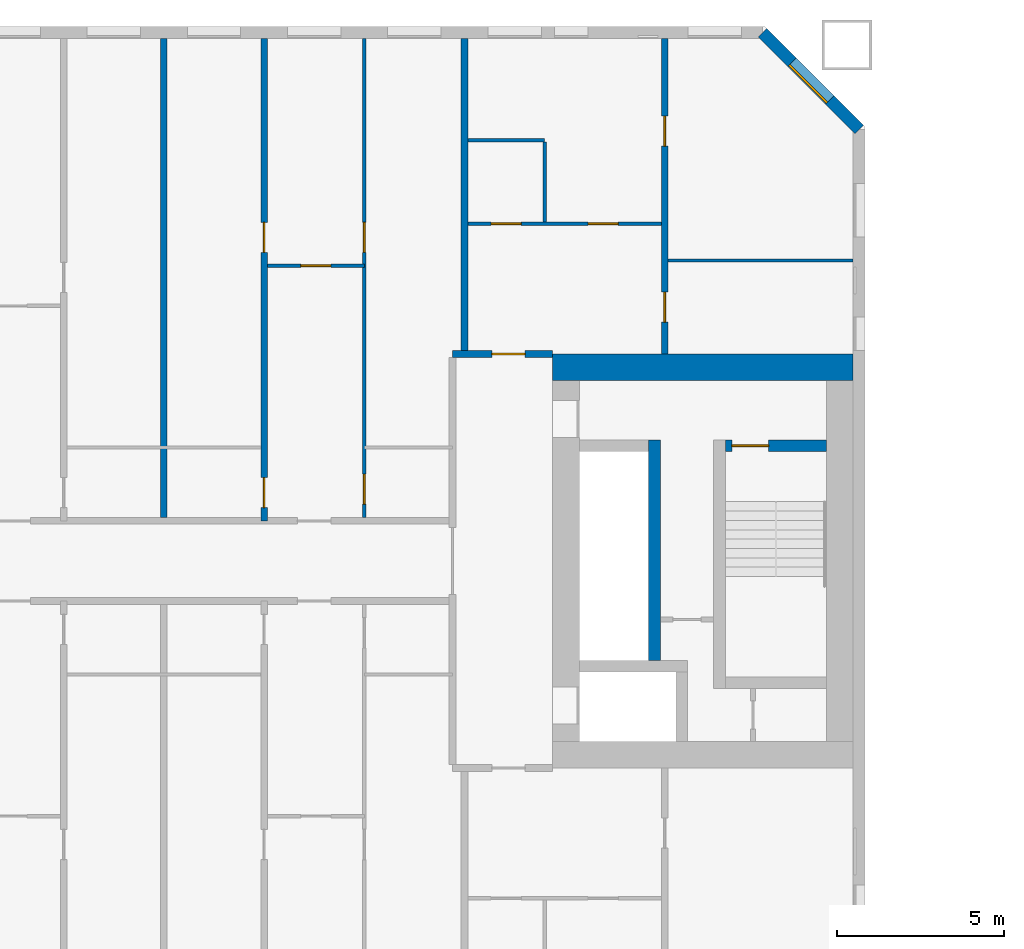
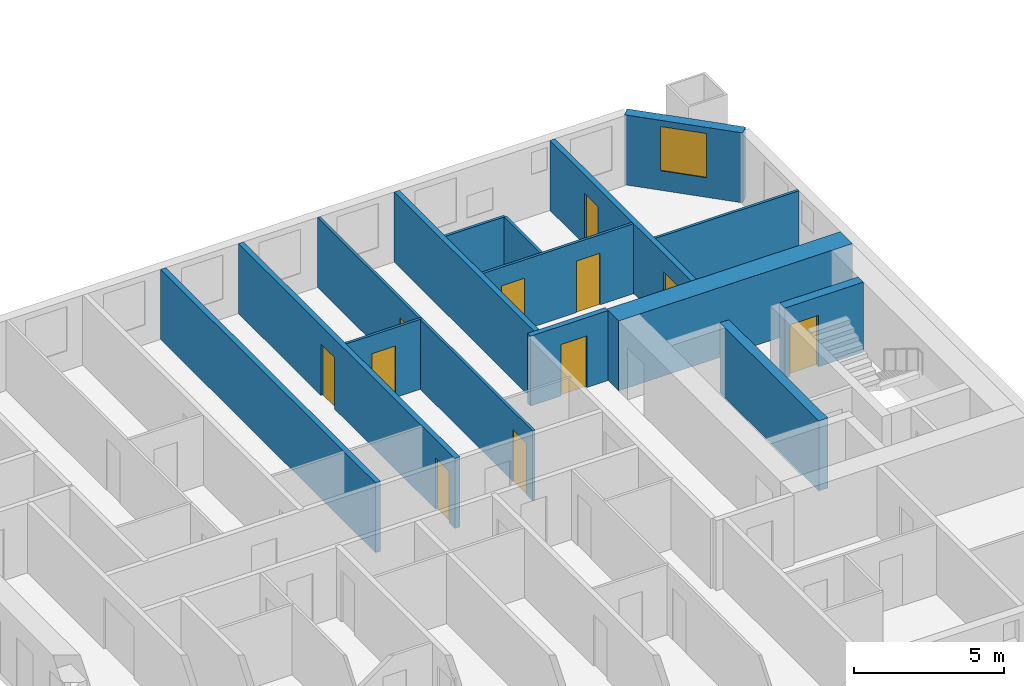
# One storey, part 8 of 17: 15 walls, 11 doors, 1 window, 12 openings.
"""IFC4 building model written with IfcOpenShell, lengths in metres."""

import ifcopenshell
import ifcopenshell.guid

model = None  # the IFC model being written
_history = None  # IfcOwnerHistory: only IFC2X3 demands one
_inside = {}  # id of a spatial element -> (the spatial element, [elements in it])
_under = {}  # id of a project, library or spatial element -> (it, [spatial elements below it])
_declared = {}  # id of a project -> (the project, [libraries it declares])
_typed = {}  # id of a type object -> (the type object, [elements of that type])
_made_of = {}  # id of a material, layer set ... -> (it, [elements and type objects made of it])


def new_model(schema):
    """Start an empty IFC model of exactly this schema.

    Asked for "IFC4X3", IfcOpenShell would pick the latest addendum, in which some entities
    have other attributes; the version numbers below select the first issue.
    IFC2X3 requires an IfcOwnerHistory on every rooted entity: one is made here for all.
    """
    global model, _history
    if schema == "IFC4X3":
        model = ifcopenshell.file(schema_version=(4, 3, 0, 0))
    else:
        model = ifcopenshell.file(schema=schema)
    _inside.clear()
    _under.clear()
    _declared.clear()
    _typed.clear()
    _made_of.clear()
    _history = None
    if model.schema == "IFC2X3":
        org = make("IfcOrganization", Name="unknown")
        user = make(
            "IfcPersonAndOrganization",
            ThePerson=make("IfcPerson", FamilyName="unknown"),
            TheOrganization=org,
        )
        app = make(
            "IfcApplication",
            ApplicationDeveloper=org,
            Version="unknown",
            ApplicationFullName="unknown",
            ApplicationIdentifier="unknown",
        )
        _history = make(
            "IfcOwnerHistory",
            OwningUser=user,
            OwningApplication=app,
            ChangeAction="ADDED",
            CreationDate=0,
        )
    return model


def make(cls, **values):
    """One entity of the class cls with the attributes given. An attribute that is None is left unset."""
    return model.create_entity(
        cls, **{name: value for name, value in values.items() if value is not None}
    )


def rooted(cls, **values):
    """An entity with a GlobalId (a new one), such as an element, a storey or a relation."""
    return make(cls, GlobalId=ifcopenshell.guid.new(), OwnerHistory=_history, **values)


def si_unit(unit_type, name, prefix=None):
    """IfcSIUnit, for example si_unit("LENGTHUNIT", "METRE", prefix="MILLI")."""
    return make("IfcSIUnit", UnitType=unit_type, Prefix=prefix, Name=name)


def assignment(units):
    """IfcUnitAssignment: the units of a project."""
    return None if units is None else make("IfcUnitAssignment", Units=units)


def point(xyz):
    """IfcCartesianPoint."""
    return None if xyz is None else make("IfcCartesianPoint", Coordinates=xyz)


def direction(xyz):
    """IfcDirection."""
    return None if xyz is None else make("IfcDirection", DirectionRatios=xyz)


def frame(location, z_axis=None, x_axis=None):
    """IfcAxis2Placement3D, a coordinate frame: its origin and axes. An axis left out is left unset."""
    return make(
        "IfcAxis2Placement3D",
        Location=point(location),
        Axis=direction(z_axis),
        RefDirection=direction(x_axis),
    )


def frame_2d(location, x_axis=None):
    """IfcAxis2Placement2D, a coordinate frame in the plane: its origin and x axis."""
    return make(
        "IfcAxis2Placement2D", Location=point(location), RefDirection=direction(x_axis)
    )


def origin():
    """The frame at (0, 0, 0) with its axes left unset."""
    return frame((0.0, 0.0, 0.0))


def place(relative_to, where):
    """IfcLocalPlacement: puts the frame where relative to a parent placement (None: the world)."""
    return make(
        "IfcLocalPlacement", PlacementRelTo=relative_to, RelativePlacement=where
    )


def context(
    kind, dimensions, precision=None, world=None, true_north=None, identifier=None
):
    """IfcGeometricRepresentationContext, for example the 3D "Model" context."""
    return make(
        "IfcGeometricRepresentationContext",
        ContextIdentifier=identifier,
        ContextType=kind,
        CoordinateSpaceDimension=dimensions,
        Precision=precision,
        WorldCoordinateSystem=world,
        TrueNorth=true_north,
    )


def subcontext(parent, identifier, kind, view, scale=None):
    """IfcGeometricRepresentationSubContext, for example "Body" below "Model"."""
    return make(
        "IfcGeometricRepresentationSubContext",
        ContextIdentifier=identifier,
        ContextType=kind,
        ParentContext=parent,
        TargetScale=scale,
        TargetView=view,
    )


def project(units=None, contexts=None):
    """IfcProject with its units and contexts."""
    return rooted(
        "IfcProject",
        Name="project",
        RepresentationContexts=contexts,
        UnitsInContext=assignment(units),
    )


def spatial(cls, under=None, at=None, **own):
    """A site, building, storey or space (cls), placed at a placement, below another one or the project."""
    s = rooted(cls, ObjectPlacement=at, **own)
    if under is not None:
        _under.setdefault(under.id(), (under, []))[1].append(s)
    return s


def profile(cls, at=None, kind="AREA", **sizes):
    """A parametric profile (cls). Its sizes go by their IFC names, for example OverallWidth=200.0."""
    return make(cls, ProfileType=kind, Position=at, **sizes)


def rectangle(**sizes):
    """IfcRectangleProfileDef."""
    return profile("IfcRectangleProfileDef", **sizes)


def extrude(swept, where, along, depth):
    """IfcExtrudedAreaSolid: the profile swept, set in the frame where, extruded along a direction by depth."""
    return make(
        "IfcExtrudedAreaSolid",
        SweptArea=swept,
        Position=where,
        ExtrudedDirection=direction(along),
        Depth=depth,
    )


def shape(context_of_items, identifier, shape_type, items):
    """IfcShapeRepresentation: the items that make up one representation, for example the "Body"."""
    return make(
        "IfcShapeRepresentation",
        ContextOfItems=context_of_items,
        RepresentationIdentifier=identifier,
        RepresentationType=shape_type,
        Items=items,
    )


def material(Name=None, Category=None):
    """IfcMaterial."""
    return make("IfcMaterial", Name=Name, Category=Category)


def layer(
    of_material, thickness, ventilated=None, Name=None, Category=None, Priority=None
):
    """IfcMaterialLayer: one layer of a wall or slab, of a material (None: an air gap)."""
    return make(
        "IfcMaterialLayer",
        Material=of_material,
        LayerThickness=thickness,
        IsVentilated=ventilated,
        Name=Name,
        Category=Category,
        Priority=Priority,
    )


def layer_set(layers, Name=None):
    """IfcMaterialLayerSet."""
    return make("IfcMaterialLayerSet", MaterialLayers=layers, LayerSetName=Name)


def made_of(thing, what):
    """Note that an element or type object is made of a material, layer set ...; save() writes the relation."""
    if what is not None:
        _made_of.setdefault(what.id(), (what, []))[1].append(thing)
    return thing


def type_object(cls, material=None, **own):
    """A type object (cls), such as IfcWallType, which elements share."""
    return made_of(rooted(cls, **own), material)


def element(
    cls,
    number,
    at=None,
    inside=None,
    cuts=None,
    type_object=None,
    material=None,
    context=None,
    identifier="Body",
    shape_type=None,
    held_by="IfcProductDefinitionShape",
    body=None,
    shapes=None,
    **own,
):
    """One element of the class cls, such as IfcWall. Its Tag is "e" and its number.

    at: its placement. inside: the storey or other place that contains it. cuts: it is an
    opening in that element (IfcRelVoidsElement). A single representation is given by context,
    identifier, shape_type and body (its items); several are given by shapes. held_by: the class
    of the entity that holds the representations. save() writes the other relations.
    """
    e = rooted(cls, Tag="e%d" % number, ObjectPlacement=at, **own)
    if body is not None:
        shapes = [shape(context, identifier, shape_type, body)]
    if shapes is not None:
        e.Representation = make(held_by, Representations=shapes)
    if inside is not None:
        _inside.setdefault(inside.id(), (inside, []))[1].append(e)
    if cuts is not None:
        rooted(
            "IfcRelVoidsElement", RelatingBuildingElement=cuts, RelatedOpeningElement=e
        )
    if type_object is not None:
        _typed.setdefault(type_object.id(), (type_object, []))[1].append(e)
    return made_of(e, material)


def fill(opening, filler):
    """IfcRelFillsElement: the door or window that sits in an opening."""
    return rooted(
        "IfcRelFillsElement",
        RelatingOpeningElement=opening,
        RelatedBuildingElement=filler,
    )


def aggregate(whole, parts):
    """IfcRelAggregates: a whole, such as a stair, and the parts it consists of."""
    return rooted("IfcRelAggregates", RelatingObject=whole, RelatedObjects=parts)


def save(model, path):
    """Write the relations noted so far, then the file.

    IfcRelAggregates (storeys below a building ...), IfcRelContainedInSpatialStructure (elements
    in a storey), IfcRelDefinesByType, IfcRelAssociatesMaterial and IfcRelDeclares: one each for
    every whole, place, type object, material and project.
    """
    for whole, parts in _under.values():
        aggregate(whole, parts)
    for where, things in _inside.values():
        rooted(
            "IfcRelContainedInSpatialStructure",
            RelatedElements=things,
            RelatingStructure=where,
        )
    for kind, things in _typed.values():
        rooted("IfcRelDefinesByType", RelatedObjects=things, RelatingType=kind)
    for what, things in _made_of.values():
        rooted("IfcRelAssociatesMaterial", RelatedObjects=things, RelatingMaterial=what)
    for by, libraries in _declared.values():
        rooted("IfcRelDeclares", RelatingContext=by, RelatedDefinitions=libraries)
    model.write(path)


model = new_model("IFC4")

# Units and contexts
model_context = context("Model", 3, precision=1e-05, world=origin(), true_north=direction((0.0, 1.0)))
body_context = subcontext(model_context, "Body", "Model", "MODEL_VIEW")
ifc_project = project(units=[si_unit("LENGTHUNIT", "METRE"), si_unit("AREAUNIT", "SQUARE_METRE"), si_unit("VOLUMEUNIT", "CUBIC_METRE"), si_unit("PLANEANGLEUNIT", "RADIAN"), si_unit("MASSUNIT", "GRAM", prefix="KILO")], contexts=[model_context])

# Site, building, storey
site_placement = place(None, origin())
site = spatial("IfcSite", under=ifc_project, at=site_placement, CompositionType="ELEMENT")
building_placement = place(site_placement, origin())
building = spatial("IfcBuilding", under=site, at=building_placement, Name="Tuart Gate Housing", CompositionType="ELEMENT")
storey_placement = place(building_placement, frame((0.0, 0.0, 47.39990234375)))
storey = spatial("IfcBuildingStorey", under=building, at=storey_placement, Name="L12", CompositionType="ELEMENT", Elevation=47.39990234375)

# Wall, opening, window
ifc_material_1 = material(Name="Brick", Category="masonry")
ifc_layer_1 = layer(ifc_material_1, 0.360107421875)
ifc_layer_set_1 = layer_set([ifc_layer_1], Name="Brick pier and spandrel wall 360")
wall_type_1 = type_object("IfcWallType", Name="Brick pier and spandrel wall 360", PredefinedType="STANDARD", material=ifc_layer_set_1)
wall_1_placement = place(storey_placement, frame((75.820068359375, 82.92529296875, 0.0), z_axis=(0.0, 0.0, 1.0), x_axis=(-0.707106781187, 0.707106781187, 0.0)))
wall_1 = element("IfcWall", 1, at=wall_1_placement, inside=storey, type_object=wall_type_1, Name="External wall A-NE L12", PredefinedType="STANDARD", context=body_context, shape_type="SweptSolid", body=[
    extrude(rectangle(XDim=4.09375, YDim=0.360107421875, at=frame_2d((2.046875, 0.0))), origin(), (0.0, 0.0, 1.0), 2.85009765625),
])
opening_1_placement = place(wall_1_placement, frame((1.2470703125, 0.0, 0.800048828125)))
opening_1 = element("IfcOpeningElement", 2, at=opening_1_placement, cuts=wall_1, Name="Opening W1", PredefinedType="OPENING", context=body_context, shape_type="SweptSolid", body=[
    extrude(rectangle(XDim=1.60009765625, YDim=1.800048828125, at=frame_2d((0.800048828125, 0.89990234375))), frame((0.0, 0.18994140625, 0.0), z_axis=(0.0, -1.0, 0.0), x_axis=(1.0, 0.0, 0.0)), (0.0, 0.0, 1.0), 0.380126953125),
])
ifc_material_2 = material(Name="Aluminium frame with clear glass", Category="aluminium")
window_type = type_object("IfcWindowType", Name="Punched window 1600 x 1800", PartitioningType="SINGLE_PANEL", PredefinedType="WINDOW", material=ifc_material_2)
window_placement = place(opening_1_placement, origin())
window = element("IfcWindow", 3, at=window_placement, inside=storey, type_object=window_type, Name="Window W1", OverallHeight=1.800048828125, OverallWidth=1.60009765625, PartitioningType="SINGLE_PANEL", PredefinedType="WINDOW", context=body_context, shape_type="SweptSolid", body=[
    extrude(rectangle(XDim=1.60009765625, YDim=1.800048828125, at=frame_2d((0.800048828125, 0.89990234375))), frame((0.0, 0.150146484375, 0.0), z_axis=(0.0, -1.0, 0.0), x_axis=(1.0, 0.0, 0.0)), (0.0, 0.0, 1.0), 0.06005859375),
])
fill(opening_1, window)

# Wall, opening, door
ifc_material_3 = material(Name="Concrete C60", Category="concrete")
ifc_layer_2 = layer(ifc_material_3, 0.35009765625)
ifc_layer_set_2 = layer_set([ifc_layer_2], Name="Core wall 350 C60")
wall_type_2 = type_object("IfcWallType", Name="Core wall 350 C60", PredefinedType="SHEAR", material=ifc_layer_set_2)
wall_2_placement = place(storey_placement, frame((71.81494140625, 73.449951171875, 0.0), z_axis=(0.0, 0.0, 1.0), x_axis=(1.0, 0.0, 0.0)))
wall_2 = element("IfcWall", 4, at=wall_2_placement, inside=storey, type_object=wall_type_2, Name="Core wall AG.5", PredefinedType="SHEAR", context=body_context, shape_type="SweptSolid", body=[
    extrude(rectangle(XDim=3.025146484375, YDim=0.35009765625, at=frame_2d((1.5126953125, 0.0))), origin(), (0.0, 0.0, 1.0), 2.85009765625),
])
opening_2_placement = place(wall_2_placement, frame((0.195068359375, 0.0, 0.0)))
opening_2 = element("IfcOpeningElement", 5, at=opening_2_placement, cuts=wall_2, Name="Opening D615", PredefinedType="OPENING", context=body_context, shape_type="SweptSolid", body=[
    extrude(rectangle(XDim=1.10009765625, YDim=2.10009765625, at=frame_2d((0.550048828125, 1.050048828125))), frame((0.0, 0.18505859375, 0.0), z_axis=(0.0, -1.0, 0.0), x_axis=(1.0, 0.0, 0.0)), (0.0, 0.0, 1.0), 0.3701171875),
])
ifc_material_4 = material(Name="Steel fire door", Category="steel")
door_type_1 = type_object("IfcDoorType", Name="Stair door 1100 x 2100 RH", OperationType="SINGLE_SWING_RIGHT", PredefinedType="DOOR", material=ifc_material_4)
door_1_placement = place(opening_2_placement, frame((1.10009765625, 0.0, 0.0), z_axis=(0.0, 0.0, 1.0), x_axis=(-1.0, 0.0, 0.0)))
door_1 = element("IfcDoor", 6, at=door_1_placement, inside=storey, type_object=door_type_1, Name="Stair door AG.SD", OperationType="SINGLE_SWING_RIGHT", OverallHeight=2.10009765625, OverallWidth=1.10009765625, PredefinedType="DOOR", context=body_context, shape_type="SweptSolid", body=[
    extrude(rectangle(XDim=1.10009765625, YDim=2.10009765625, at=frame_2d((0.550048828125, 1.050048828125))), frame((0.0, 0.025146484375, 0.0), z_axis=(0.0, -1.0, 0.0), x_axis=(1.0, 0.0, 0.0)), (0.0, 0.0, 1.0), 0.050048828125),
])
fill(opening_2, door_1)

# Walls
wall_3_placement = place(storey_placement, frame((69.68994140625, 67.02490234375, 0.0), z_axis=(0.0, 0.0, 1.0), x_axis=(0.0, 1.0, 0.0)))
element("IfcWall", 7, at=wall_3_placement, inside=storey, type_object=wall_type_2, Name="Core wall AG.6", PredefinedType="SHEAR", context=body_context, shape_type="SweptSolid", body=[
    extrude(rectangle(XDim=6.60009765625, YDim=0.35009765625, at=frame_2d((3.300048828125, 0.0))), origin(), (0.0, 0.0, 1.0), 2.85009765625),
])
ifc_material_5 = material(Name="Concrete C60", Category="concrete")
ifc_layer_3 = layer(ifc_material_5, 0.800048828125)
ifc_layer_set_3 = layer_set([ifc_layer_3], Name="Core wall 800 C60")
wall_type_3 = type_object("IfcWallType", Name="Core wall 800 C60", PredefinedType="SHEAR", material=ifc_layer_set_3)
wall_4_placement = place(storey_placement, frame((66.639892578125, 75.800048828125, 0.0), z_axis=(0.0, 0.0, 1.0), x_axis=(1.0, 0.0, 0.0)))
element("IfcWall", 8, at=wall_4_placement, inside=storey, type_object=wall_type_3, Name="Core wall AG north", PredefinedType="SHEAR", context=body_context, shape_type="SweptSolid", body=[
    extrude(rectangle(XDim=9.0, YDim=0.800048828125, at=frame_2d((4.5, 0.0))), origin(), (0.0, 0.0, 1.0), 2.85009765625),
])

# Wall, opening, door
ifc_material_6 = material(Name="Concrete masonry 15 MPa", Category="masonry")
ifc_layer_4 = layer(ifc_material_6, 0.199951171875)
ifc_layer_set_4 = layer_set([ifc_layer_4], Name="Enclosure wall masonry 200")
wall_type_4 = type_object("IfcWallType", Name="Enclosure wall masonry 200", PredefinedType="PARTITIONING", material=ifc_layer_set_4)
wall_5_placement = place(storey_placement, frame((63.639892578125, 76.199951171875, 0.0), z_axis=(0.0, 0.0, 1.0), x_axis=(1.0, 0.0, 0.0)))
wall_5 = element("IfcWall", 9, at=wall_5_placement, inside=storey, type_object=wall_type_4, Name="Enclosure wall masonry 200", PredefinedType="PARTITIONING", context=body_context, shape_type="SweptSolid", body=[
    extrude(rectangle(XDim=3.0, YDim=0.199951171875, at=frame_2d((1.5, 0.0))), origin(), (0.0, 0.0, 1.0), 2.85009765625),
])
opening_3_placement = place(wall_5_placement, frame((1.179931640625, 0.0, 0.0)))
opening_3 = element("IfcOpeningElement", 10, at=opening_3_placement, cuts=wall_5, Name="Opening D614", PredefinedType="OPENING", context=body_context, shape_type="SweptSolid", body=[
    extrude(rectangle(XDim=1.0, YDim=2.10009765625, at=frame_2d((0.5, 1.050048828125))), frame((0.0, 0.10986328125, 0.0), z_axis=(0.0, -1.0, 0.0), x_axis=(1.0, 0.0, 0.0)), (0.0, 0.0, 1.0), 0.219970703125),
])
ifc_material_7 = material(Name="Timber door leaf in steel frame", Category="steel")
door_type_2 = type_object("IfcDoorType", Name="Flat entrance door 1000", OperationType="SINGLE_SWING_LEFT", PredefinedType="DOOR", material=ifc_material_7)
door_2_placement = place(opening_3_placement, origin())
door_2 = element("IfcDoor", 11, at=door_2_placement, inside=storey, type_object=door_type_2, Name="Flat entrance door", OperationType="SINGLE_SWING_LEFT", OverallHeight=2.10009765625, OverallWidth=1.0, PredefinedType="DOOR", context=body_context, shape_type="SweptSolid", body=[
    extrude(rectangle(XDim=1.0, YDim=2.10009765625, at=frame_2d((0.5, 1.050048828125))), frame((0.0, 0.02490234375, 0.0), z_axis=(0.0, -1.0, 0.0), x_axis=(1.0, 0.0, 0.0)), (0.0, 0.0, 1.0), 0.050048828125),
])
fill(opening_3, door_2)

ifc_material_8 = material(Name="Gypsum board on steel studs", Category="steel")
ifc_layer_5 = layer(ifc_material_8, 0.10009765625)
ifc_layer_set_5 = layer_set([ifc_layer_5], Name="Partition 100")
wall_type_5 = type_object("IfcWallType", Name="Partition 100", PredefinedType="PARTITIONING", material=ifc_layer_set_5)
wall_6_placement = place(storey_placement, frame((58.10009765625, 78.840087890625, 0.0), z_axis=(0.0, 0.0, 1.0), x_axis=(1.0, 0.0, 0.0)))
wall_6 = element("IfcWall", 12, at=wall_6_placement, inside=storey, type_object=wall_type_5, Name="Partition 100", PredefinedType="PARTITIONING", context=body_context, shape_type="SweptSolid", body=[
    extrude(rectangle(XDim=2.89990234375, YDim=0.10009765625, at=frame_2d((1.449951171875, 0.0))), origin(), (0.0, 0.0, 1.0), 2.85009765625),
])
opening_4_placement = place(wall_6_placement, frame((1.0, 0.0, 0.0)))
opening_4 = element("IfcOpeningElement", 13, at=opening_4_placement, cuts=wall_6, Name="Opening D599", PredefinedType="OPENING", context=body_context, shape_type="SweptSolid", body=[
    extrude(rectangle(XDim=0.89990234375, YDim=2.10009765625, at=frame_2d((0.449951171875, 1.050048828125))), frame((0.0, 0.06005859375, 0.0), z_axis=(0.0, -1.0, 0.0), x_axis=(1.0, 0.0, 0.0)), (0.0, 0.0, 1.0), 0.1201171875),
])
ifc_material_9 = material(Name="Timber door leaf in steel frame", Category="steel")
door_type_3 = type_object("IfcDoorType", Name="Internal door 900", OperationType="SINGLE_SWING_LEFT", PredefinedType="DOOR", material=ifc_material_9)
door_3_placement = place(opening_4_placement, frame((0.89990234375, 0.0, 0.0), z_axis=(0.0, 0.0, 1.0), x_axis=(-1.0, 0.0, 0.0)))
door_3 = element("IfcDoor", 14, at=door_3_placement, inside=storey, type_object=door_type_3, Name="Internal door", OperationType="SINGLE_SWING_LEFT", OverallHeight=2.10009765625, OverallWidth=0.89990234375, PredefinedType="DOOR", context=body_context, shape_type="SweptSolid", body=[
    extrude(rectangle(XDim=0.89990234375, YDim=2.10009765625, at=frame_2d((0.449951171875, 1.050048828125))), frame((0.0, 0.025146484375, 0.0), z_axis=(0.0, -1.0, 0.0), x_axis=(1.0, 0.0, 0.0)), (0.0, 0.0, 1.0), 0.050048828125),
])
fill(opening_4, door_3)

# Wall
wall_7_placement = place(storey_placement, frame((70.10009765625, 79.0, 0.0), z_axis=(0.0, 0.0, 1.0), x_axis=(1.0, 0.0, 0.0)))
element("IfcWall", 15, at=wall_7_placement, inside=storey, type_object=wall_type_5, Name="Partition 100", PredefinedType="PARTITIONING", context=body_context, shape_type="SweptSolid", body=[
    extrude(rectangle(XDim=5.539794921875, YDim=0.10009765625, at=frame_2d((2.77001953125, 0.0))), origin(), (0.0, 0.0, 1.0), 2.85009765625),
])

# Wall, openings, doors
wall_8_placement = place(storey_placement, frame((64.10009765625, 80.10009765625, 0.0), z_axis=(0.0, 0.0, 1.0), x_axis=(1.0, 0.0, 0.0)))
wall_8 = element("IfcWall", 16, at=wall_8_placement, inside=storey, type_object=wall_type_5, Name="Partition 100", PredefinedType="PARTITIONING", context=body_context, shape_type="SweptSolid", body=[
    extrude(rectangle(XDim=5.7998046875, YDim=0.10009765625, at=frame_2d((2.89990234375, 0.0))), origin(), (0.0, 0.0, 1.0), 2.85009765625),
])
opening_5_placement = place(wall_8_placement, frame((3.60009765625, 0.0, 0.0)))
opening_5 = element("IfcOpeningElement", 17, at=opening_5_placement, cuts=wall_8, Name="Opening D598", PredefinedType="OPENING", context=body_context, shape_type="SweptSolid", body=[
    extrude(rectangle(XDim=0.89990234375, YDim=2.10009765625, at=frame_2d((0.449951171875, 1.050048828125))), frame((0.0, 0.06005859375, 0.0), z_axis=(0.0, -1.0, 0.0), x_axis=(1.0, 0.0, 0.0)), (0.0, 0.0, 1.0), 0.1201171875),
])
opening_6_placement = place(wall_8_placement, frame((0.699951171875, 0.0, 0.0)))
opening_6 = element("IfcOpeningElement", 18, at=opening_6_placement, cuts=wall_8, Name="Opening D597", PredefinedType="OPENING", context=body_context, shape_type="SweptSolid", body=[
    extrude(rectangle(XDim=0.89990234375, YDim=2.10009765625, at=frame_2d((0.449951171875, 1.050048828125))), frame((0.0, 0.06005859375, 0.0), z_axis=(0.0, -1.0, 0.0), x_axis=(1.0, 0.0, 0.0)), (0.0, 0.0, 1.0), 0.1201171875),
])
ifc_material_10 = material(Name="Timber door leaf in steel frame", Category="steel")
door_type_4 = type_object("IfcDoorType", Name="Bathroom door 900 RH", OperationType="SINGLE_SWING_RIGHT", PredefinedType="DOOR", material=ifc_material_10)
door_4_placement = place(opening_6_placement, origin())
door_4 = element("IfcDoor", 19, at=door_4_placement, inside=storey, type_object=door_type_4, Name="Bathroom door", OperationType="SINGLE_SWING_RIGHT", OverallHeight=2.10009765625, OverallWidth=0.89990234375, PredefinedType="DOOR", context=body_context, shape_type="SweptSolid", body=[
    extrude(rectangle(XDim=0.89990234375, YDim=2.10009765625, at=frame_2d((0.449951171875, 1.050048828125))), frame((0.0, 0.02490234375, 0.0), z_axis=(0.0, -1.0, 0.0), x_axis=(1.0, 0.0, 0.0)), (0.0, 0.0, 1.0), 0.050048828125),
])
fill(opening_6, door_4)
door_5_placement = place(opening_5_placement, frame((0.89990234375, 0.0, 0.0), z_axis=(0.0, 0.0, 1.0), x_axis=(-1.0, 0.0, 0.0)))
door_5 = element("IfcDoor", 20, at=door_5_placement, inside=storey, type_object=door_type_3, Name="Internal door", OperationType="SINGLE_SWING_LEFT", OverallHeight=2.10009765625, OverallWidth=0.89990234375, PredefinedType="DOOR", context=body_context, shape_type="SweptSolid", body=[
    extrude(rectangle(XDim=0.89990234375, YDim=2.10009765625, at=frame_2d((0.449951171875, 1.050048828125))), frame((0.0, 0.025146484375, 0.0), z_axis=(0.0, -1.0, 0.0), x_axis=(1.0, 0.0, 0.0)), (0.0, 0.0, 1.0), 0.050048828125),
])
fill(opening_5, door_5)

# Wall
wall_9_placement = place(storey_placement, frame((64.10009765625, 82.60009765625, 0.0), z_axis=(0.0, 0.0, 1.0), x_axis=(1.0, 0.0, 0.0)))
element("IfcWall", 21, at=wall_9_placement, inside=storey, type_object=wall_type_5, Name="Partition 100", PredefinedType="PARTITIONING", context=body_context, shape_type="SweptSolid", body=[
    extrude(rectangle(XDim=2.2998046875, YDim=0.10009765625, at=frame_2d((1.14990234375, 0.0))), origin(), (0.0, 0.0, 1.0), 2.85009765625),
])

# Wall, openings, doors
wall_10_placement = place(storey_placement, frame((61.0, 71.300048828125, 0.0), z_axis=(0.0, 0.0, 1.0), x_axis=(0.0, 1.0, 0.0)))
wall_10 = element("IfcWall", 22, at=wall_10_placement, inside=storey, type_object=wall_type_5, Name="Partition 100", PredefinedType="PARTITIONING", context=body_context, shape_type="SweptSolid", body=[
    extrude(rectangle(XDim=14.33984375, YDim=0.10009765625, at=frame_2d((7.169921875, 0.0))), origin(), (0.0, 0.0, 1.0), 2.85009765625),
])
opening_7_placement = place(wall_10_placement, frame((7.93994140625, 0.0, 0.0)))
opening_7 = element("IfcOpeningElement", 23, at=opening_7_placement, cuts=wall_10, Name="Opening D606", PredefinedType="OPENING", context=body_context, shape_type="SweptSolid", body=[
    extrude(rectangle(XDim=0.89990234375, YDim=2.10009765625, at=frame_2d((0.449951171875, 1.050048828125))), frame((0.0, 0.06005859375, 0.0), z_axis=(0.0, -1.0, 0.0), x_axis=(1.0, 0.0, 0.0)), (0.0, 0.0, 1.0), 0.1201171875),
])
opening_8_placement = place(wall_10_placement, frame((0.39990234375, 0.0, 0.0)))
opening_8 = element("IfcOpeningElement", 24, at=opening_8_placement, cuts=wall_10, Name="Opening D605", PredefinedType="OPENING", context=body_context, shape_type="SweptSolid", body=[
    extrude(rectangle(XDim=0.89990234375, YDim=2.10009765625, at=frame_2d((0.449951171875, 1.050048828125))), frame((0.0, 0.06005859375, 0.0), z_axis=(0.0, -1.0, 0.0), x_axis=(1.0, 0.0, 0.0)), (0.0, 0.0, 1.0), 0.1201171875),
])
door_6_placement = place(opening_8_placement, frame((0.89990234375, 0.0, 0.0), z_axis=(0.0, 0.0, 1.0), x_axis=(-1.0, 0.0, 0.0)))
door_6 = element("IfcDoor", 25, at=door_6_placement, inside=storey, type_object=door_type_4, Name="Bathroom door", OperationType="SINGLE_SWING_RIGHT", OverallHeight=2.10009765625, OverallWidth=0.89990234375, PredefinedType="DOOR", context=body_context, shape_type="SweptSolid", body=[
    extrude(rectangle(XDim=0.89990234375, YDim=2.10009765625, at=frame_2d((0.449951171875, 1.050048828125))), frame((0.0, 0.025146484375, 0.0), z_axis=(0.0, -1.0, 0.0), x_axis=(1.0, 0.0, 0.0)), (0.0, 0.0, 1.0), 0.050048828125),
])
fill(opening_8, door_6)
door_7_placement = place(opening_7_placement, frame((0.89990234375, 0.0, 0.0), z_axis=(0.0, 0.0, 1.0), x_axis=(-1.0, 0.0, 0.0)))
door_7 = element("IfcDoor", 26, at=door_7_placement, inside=storey, type_object=door_type_3, Name="Internal door", OperationType="SINGLE_SWING_LEFT", OverallHeight=2.10009765625, OverallWidth=0.89990234375, PredefinedType="DOOR", context=body_context, shape_type="SweptSolid", body=[
    extrude(rectangle(XDim=0.89990234375, YDim=2.10009765625, at=frame_2d((0.449951171875, 1.050048828125))), frame((0.0, 0.025146484375, 0.0), z_axis=(0.0, -1.0, 0.0), x_axis=(1.0, 0.0, 0.0)), (0.0, 0.0, 1.0), 0.050048828125),
])
fill(opening_7, door_7)

# Wall
wall_11_placement = place(storey_placement, frame((66.39990234375, 80.14990234375, 0.0), z_axis=(0.0, 0.0, 1.0), x_axis=(0.0, 1.0, 0.0)))
element("IfcWall", 27, at=wall_11_placement, inside=storey, type_object=wall_type_5, Name="Partition 100", PredefinedType="PARTITIONING", context=body_context, shape_type="SweptSolid", body=[
    extrude(rectangle(XDim=2.400146484375, YDim=0.10009765625, at=frame_2d((1.2001953125, 0.0))), origin(), (0.0, 0.0, 1.0), 2.85009765625),
])

# Wall, openings, doors
ifc_material_11 = material(Name="Concrete C40", Category="concrete")
ifc_layer_6 = layer(ifc_material_11, 0.199951171875)
ifc_layer_set_6 = layer_set([ifc_layer_6], Name="Party wall concrete C40 200")
wall_type_6 = type_object("IfcWallType", Name="Party wall concrete C40 200", PredefinedType="SOLIDWALL", material=ifc_layer_set_6)
wall_12_placement = place(storey_placement, frame((58.0, 71.199951171875, 0.0), z_axis=(0.0, 0.0, 1.0), x_axis=(0.0, 1.0, 0.0)))
wall_12 = element("IfcWall", 28, at=wall_12_placement, inside=storey, type_object=wall_type_6, Name="Party wall concrete C40 200", PredefinedType="SOLIDWALL", context=body_context, shape_type="SweptSolid", body=[
    extrude(rectangle(XDim=14.43994140625, YDim=0.199951171875, at=frame_2d((7.219970703125, 0.0))), origin(), (0.0, 0.0, 1.0), 2.85009765625),
])
opening_9_placement = place(wall_12_placement, frame((8.0400390625, 0.0, 0.0)))
opening_9 = element("IfcOpeningElement", 29, at=opening_9_placement, cuts=wall_12, Name="Opening D610", PredefinedType="OPENING", context=body_context, shape_type="SweptSolid", body=[
    extrude(rectangle(XDim=0.89990234375, YDim=2.10009765625, at=frame_2d((0.449951171875, 1.050048828125))), frame((0.0, 0.10986328125, 0.0), z_axis=(0.0, -1.0, 0.0), x_axis=(1.0, 0.0, 0.0)), (0.0, 0.0, 1.0), 0.219970703125),
])
opening_10_placement = place(wall_12_placement, frame((0.39990234375, 0.0, 0.0)))
opening_10 = element("IfcOpeningElement", 30, at=opening_10_placement, cuts=wall_12, Name="Opening D609", PredefinedType="OPENING", context=body_context, shape_type="SweptSolid", body=[
    extrude(rectangle(XDim=0.89990234375, YDim=2.10009765625, at=frame_2d((0.449951171875, 1.050048828125))), frame((0.0, 0.10986328125, 0.0), z_axis=(0.0, -1.0, 0.0), x_axis=(1.0, 0.0, 0.0)), (0.0, 0.0, 1.0), 0.219970703125),
])
ifc_material_12 = material(Name="Timber door leaf in steel frame", Category="steel")
door_type_5 = type_object("IfcDoorType", Name="Bathroom door 900", OperationType="SINGLE_SWING_LEFT", PredefinedType="DOOR", material=ifc_material_12)
door_8_placement = place(opening_10_placement, origin())
door_8 = element("IfcDoor", 31, at=door_8_placement, inside=storey, type_object=door_type_5, Name="Bathroom door", OperationType="SINGLE_SWING_LEFT", OverallHeight=2.10009765625, OverallWidth=0.89990234375, PredefinedType="DOOR", context=body_context, shape_type="SweptSolid", body=[
    extrude(rectangle(XDim=0.89990234375, YDim=2.10009765625, at=frame_2d((0.449951171875, 1.050048828125))), frame((0.0, 0.02490234375, 0.0), z_axis=(0.0, -1.0, 0.0), x_axis=(1.0, 0.0, 0.0)), (0.0, 0.0, 1.0), 0.050048828125),
])
fill(opening_10, door_8)
ifc_material_13 = material(Name="Timber door leaf in steel frame", Category="steel")
door_type_6 = type_object("IfcDoorType", Name="Internal door 900 RH", OperationType="SINGLE_SWING_RIGHT", PredefinedType="DOOR", material=ifc_material_13)
door_9_placement = place(opening_9_placement, origin())
door_9 = element("IfcDoor", 32, at=door_9_placement, inside=storey, type_object=door_type_6, Name="Internal door", OperationType="SINGLE_SWING_RIGHT", OverallHeight=2.10009765625, OverallWidth=0.89990234375, PredefinedType="DOOR", context=body_context, shape_type="SweptSolid", body=[
    extrude(rectangle(XDim=0.89990234375, YDim=2.10009765625, at=frame_2d((0.449951171875, 1.050048828125))), frame((0.0, 0.02490234375, 0.0), z_axis=(0.0, -1.0, 0.0), x_axis=(1.0, 0.0, 0.0)), (0.0, 0.0, 1.0), 0.050048828125),
])
fill(opening_9, door_9)

# Wall
wall_13_placement = place(storey_placement, frame((64.0, 76.199951171875, 0.0), z_axis=(0.0, 0.0, 1.0), x_axis=(0.0, 1.0, 0.0)))
element("IfcWall", 33, at=wall_13_placement, inside=storey, type_object=wall_type_6, Name="Party wall concrete C40 200", PredefinedType="SOLIDWALL", context=body_context, shape_type="SweptSolid", body=[
    extrude(rectangle(XDim=9.43994140625, YDim=0.199951171875, at=frame_2d((4.719970703125, 0.0))), origin(), (0.0, 0.0, 1.0), 2.85009765625),
])

# Wall, openings, doors
wall_14_placement = place(storey_placement, frame((70.0, 76.199951171875, 0.0), z_axis=(0.0, 0.0, 1.0), x_axis=(0.0, 1.0, 0.0)))
wall_14 = element("IfcWall", 34, at=wall_14_placement, inside=storey, type_object=wall_type_6, Name="Party wall concrete C40 200", PredefinedType="SOLIDWALL", context=body_context, shape_type="SweptSolid", body=[
    extrude(rectangle(XDim=9.43994140625, YDim=0.199951171875, at=frame_2d((4.719970703125, 0.0))), origin(), (0.0, 0.0, 1.0), 2.85009765625),
])
opening_11_placement = place(wall_14_placement, frame((6.219970703125, 0.0, 0.0)))
opening_11 = element("IfcOpeningElement", 35, at=opening_11_placement, cuts=wall_14, Name="Opening D594", PredefinedType="OPENING", context=body_context, shape_type="SweptSolid", body=[
    extrude(rectangle(XDim=0.89990234375, YDim=2.10009765625, at=frame_2d((0.449951171875, 1.050048828125))), frame((0.0, 0.10986328125, 0.0), z_axis=(0.0, -1.0, 0.0), x_axis=(1.0, 0.0, 0.0)), (0.0, 0.0, 1.0), 0.219970703125),
])
opening_12_placement = place(wall_14_placement, frame((0.949951171875, 0.0, 0.0)))
opening_12 = element("IfcOpeningElement", 36, at=opening_12_placement, cuts=wall_14, Name="Opening D595", PredefinedType="OPENING", context=body_context, shape_type="SweptSolid", body=[
    extrude(rectangle(XDim=0.89990234375, YDim=2.10009765625, at=frame_2d((0.449951171875, 1.050048828125))), frame((0.0, 0.10986328125, 0.0), z_axis=(0.0, -1.0, 0.0), x_axis=(1.0, 0.0, 0.0)), (0.0, 0.0, 1.0), 0.219970703125),
])
door_10_placement = place(opening_11_placement, frame((0.89990234375, 0.0, 0.0), z_axis=(0.0, 0.0, 1.0), x_axis=(-1.0, 0.0, 0.0)))
door_10 = element("IfcDoor", 37, at=door_10_placement, inside=storey, type_object=door_type_3, Name="Internal door", OperationType="SINGLE_SWING_LEFT", OverallHeight=2.10009765625, OverallWidth=0.89990234375, PredefinedType="DOOR", context=body_context, shape_type="SweptSolid", body=[
    extrude(rectangle(XDim=0.89990234375, YDim=2.10009765625, at=frame_2d((0.449951171875, 1.050048828125))), frame((0.0, 0.025146484375, 0.0), z_axis=(0.0, -1.0, 0.0), x_axis=(1.0, 0.0, 0.0)), (0.0, 0.0, 1.0), 0.050048828125),
])
fill(opening_11, door_10)
door_11_placement = place(opening_12_placement, frame((0.89990234375, 0.0, 0.0), z_axis=(0.0, 0.0, 1.0), x_axis=(-1.0, 0.0, 0.0)))
door_11 = element("IfcDoor", 38, at=door_11_placement, inside=storey, type_object=door_type_6, Name="Internal door", OperationType="SINGLE_SWING_RIGHT", OverallHeight=2.10009765625, OverallWidth=0.89990234375, PredefinedType="DOOR", context=body_context, shape_type="SweptSolid", body=[
    extrude(rectangle(XDim=0.89990234375, YDim=2.10009765625, at=frame_2d((0.449951171875, 1.050048828125))), frame((0.0, 0.025146484375, 0.0), z_axis=(0.0, -1.0, 0.0), x_axis=(1.0, 0.0, 0.0)), (0.0, 0.0, 1.0), 0.050048828125),
])
fill(opening_12, door_11)

# Wall
ifc_material_14 = material(Name="Concrete masonry 15 MPa", Category="masonry")
ifc_layer_7 = layer(ifc_material_14, 0.199951171875)
ifc_layer_set_7 = layer_set([ifc_layer_7], Name="Party wall masonry 200")
wall_type_7 = type_object("IfcWallType", Name="Party wall masonry 200", PredefinedType="PARTITIONING", material=ifc_layer_set_7)
wall_15_placement = place(storey_placement, frame((55.0, 71.300048828125, 0.0), z_axis=(0.0, 0.0, 1.0), x_axis=(0.0, 1.0, 0.0)))
element("IfcWall", 39, at=wall_15_placement, inside=storey, type_object=wall_type_7, Name="Party wall masonry 200", PredefinedType="PARTITIONING", context=body_context, shape_type="SweptSolid", body=[
    extrude(rectangle(XDim=14.33984375, YDim=0.199951171875, at=frame_2d((7.169921875, 0.0))), origin(), (0.0, 0.0, 1.0), 2.85009765625),
])

save(model, "model.ifc")
